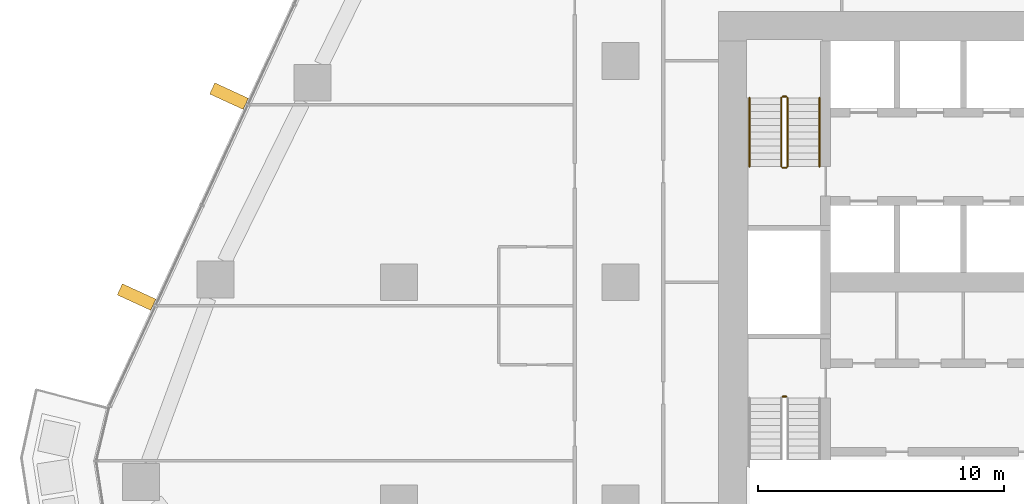
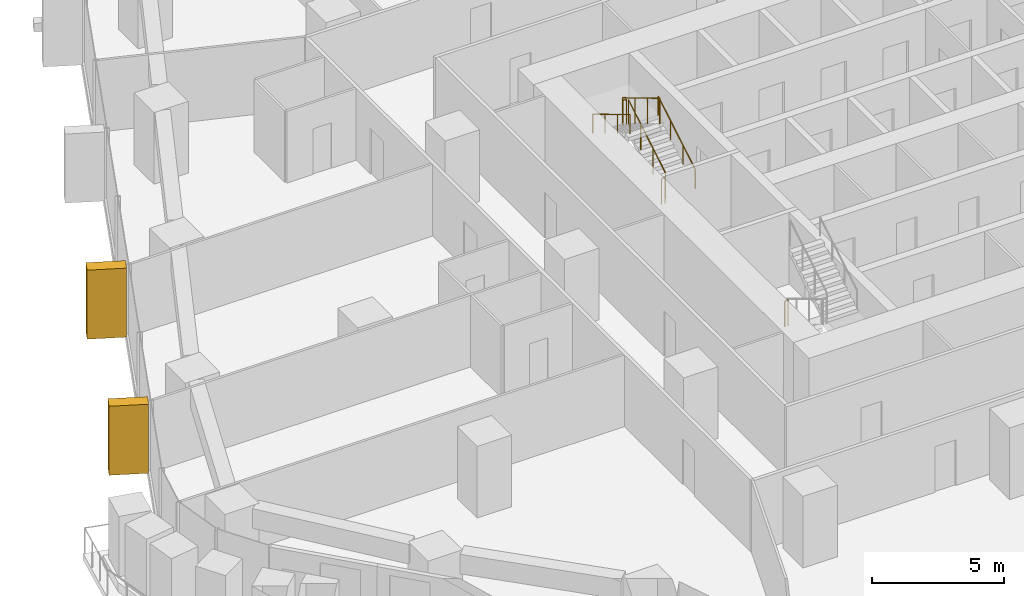
# One storey, part 23 of 26: 7 railings, 2 coverings, 1 element without a shape of its own.
"""IFC4 building model written with IfcOpenShell, lengths in metres."""

from ifc_helpers import new_model, si_unit, direction, frame, origin, origin_2d, place, context, subcontext, project, spatial, rectangle, circle, extrude, material, layer, layer_set, material_profile, profile_set, type_object, element, aggregate, save


model = new_model("IFC4")

# Units and contexts
model_context = context("Model", 3, precision=1e-05, world=origin(), true_north=direction((0.0, 1.0)))
body_context = subcontext(model_context, "Body", "Model", "MODEL_VIEW")
ifc_project = project(units=[si_unit("LENGTHUNIT", "METRE"), si_unit("AREAUNIT", "SQUARE_METRE"), si_unit("VOLUMEUNIT", "CUBIC_METRE"), si_unit("PLANEANGLEUNIT", "RADIAN"), si_unit("MASSUNIT", "GRAM", prefix="KILO")], contexts=[model_context])

# Site, building, storey
site_placement = place(None, origin())
site = spatial("IfcSite", under=ifc_project, at=site_placement, CompositionType="ELEMENT")
building_placement = place(site_placement, origin())
building = spatial("IfcBuilding", under=site, at=building_placement, Name="Dongbaek Canopy Tower", CompositionType="ELEMENT")
storey_placement = place(building_placement, frame((0.0, 0.0, 69.89990234375)))
storey = spatial("IfcBuildingStorey", under=building, at=storey_placement, Name="L13", CompositionType="ELEMENT", Elevation=69.89990234375)

# Curtain wall, coverings
ifc_material_1 = material(Name="Aluminium 6063-T6 pale anodised", Category="aluminium")
ifc_layer = layer(ifc_material_1, 0.199951171875)
ifc_layer_set = layer_set([ifc_layer], Name="CW-1 unitised tower curtain wall")
curtain_wall_type = type_object("IfcCurtainWallType", Name="CW-1 unitised tower curtain wall", PredefinedType="NOTDEFINED", material=ifc_layer_set)
curtain_wall_placement = place(storey_placement, origin())
curtain_wall = element("IfcCurtainWall", 1, at=curtain_wall_placement, inside=storey, type_object=curtain_wall_type, Name="CW-1 curtain wall F2.1", PredefinedType="NOTDEFINED")
ifc_material_2 = material(Name="Aluminium 6063-T6 pale metal fin", Category="aluminium")
ifc_material_profile = material_profile(ifc_material_2, rectangle(XDim=1.5, YDim=0.5, at=origin_2d()), Name="Fin FN1 500 x 1500 pale metal")
ifc_profile_set = profile_set([ifc_material_profile], Name="Aluminium 6063-T6 pale metal fin")
covering_type = type_object("IfcCoveringType", Name="Fin FN1 500 x 1500 pale metal", PredefinedType="CLADDING", material=ifc_profile_set)
covering_1_placement = place(storey_placement, frame((-33.913818359375, 7.56591796875, 0.1201171875), z_axis=(0.0, 0.0, 1.0), x_axis=(-0.908435687115, 0.418024643264, 0.0)))
covering_1 = element("IfcCovering", 2, at=covering_1_placement, type_object=covering_type, Name="Fin F2.1.7", PredefinedType="CLADDING", context=body_context, shape_type="SweptSolid", body=[
    extrude(rectangle(XDim=1.5, YDim=0.5, at=origin_2d()), origin(), (0.0, 0.0, 1.0), 3.179931640625),
])
covering_2_placement = place(storey_placement, frame((-37.67333984375, -0.603759765625, 0.1201171875), z_axis=(0.0, 0.0, 1.0), x_axis=(-0.908435687115, 0.418024643264, 0.0)))
covering_2 = element("IfcCovering", 3, at=covering_2_placement, type_object=covering_type, Name="Fin F2.1.9", PredefinedType="CLADDING", context=body_context, shape_type="SweptSolid", body=[
    extrude(rectangle(XDim=1.5, YDim=0.5, at=origin_2d()), origin(), (0.0, 0.0, 1.0), 3.179931640625),
])
aggregate(curtain_wall, [covering_1, covering_2])

# Railings
ifc_material_3 = material(Name="Stainless steel tube and balusters", Category="steel")
railing_type_1 = type_object("IfcRailingType", Name="Stair guard 1200", PredefinedType="GUARDRAIL", material=ifc_material_3)
railing_1_placement = place(storey_placement, frame((-11.199951171875, 4.699951171875, 0.168212890625)))
element("IfcRailing", 4, at=railing_1_placement, inside=storey, type_object=railing_type_1, Name="L13 ST-C stair guard 1", PredefinedType="GUARDRAIL", context=body_context, shape_type="SweptSolid", body=[
    extrude(circle(Radius=0.02392578125, at=origin_2d()), frame((0.0, 0.0, 1.17578125), z_axis=(0.0, 0.857242210791, 0.514913383045), x_axis=(-1.0, 0.0, 0.0)), (0.0, 0.0, 1.0), 3.266357421875),
    extrude(circle(Radius=0.02099609375, at=origin_2d()), origin(), (0.0, 0.0, 1.0), 1.15185546875),
    extrude(circle(Radius=0.02099609375, at=origin_2d()), frame((0.0, 0.933349609375, 0.560546875)), (0.0, 0.0, 1.0), 1.15185546875),
    extrude(circle(Radius=0.02099609375, at=origin_2d()), frame((0.0, 1.86669921875, 1.121337890625)), (0.0, 0.0, 1.0), 1.15185546875),
    extrude(circle(Radius=0.02099609375, at=origin_2d()), frame((0.0, 2.800048828125, 1.681884765625)), (0.0, 0.0, 1.0), 1.15185546875),
])
railing_2_placement = place(storey_placement, frame((-11.25, 7.550048828125, 1.85009765625)))
element("IfcRailing", 5, at=railing_2_placement, inside=storey, type_object=railing_type_1, Name="L13 ST-C stair guard 2", PredefinedType="GUARDRAIL", context=body_context, shape_type="SweptSolid", body=[
    extrude(circle(Radius=0.02392578125, at=origin_2d()), frame((0.0, 0.0, 1.17578125), z_axis=(-1.0, 0.0, 0.0), x_axis=(0.0, -1.0, 0.0)), (0.0, 0.0, 1.0), 0.14990234375),
    extrude(circle(Radius=0.02099609375, at=origin_2d()), origin(), (0.0, 0.0, 1.0), 1.15185546875),
    extrude(circle(Radius=0.02099609375, at=origin_2d()), frame((-0.14990234375, 0.0, 0.0)), (0.0, 0.0, 1.0), 1.15185546875),
])
railing_3_placement = place(storey_placement, frame((-11.449951171875, 7.5, 2.018310546875)))
element("IfcRailing", 6, at=railing_3_placement, inside=storey, type_object=railing_type_1, Name="L13 ST-C stair guard 3", PredefinedType="GUARDRAIL", context=body_context, shape_type="SweptSolid", body=[
    extrude(circle(Radius=0.02392578125, at=origin_2d()), frame((0.0, 0.0, 1.17578125), z_axis=(0.0, -0.857242210791, 0.514913383045), x_axis=(1.0, 0.0, 0.0)), (0.0, 0.0, 1.0), 3.266357421875),
    extrude(circle(Radius=0.02099609375, at=origin_2d()), origin(), (0.0, 0.0, 1.0), 1.15185546875),
    extrude(circle(Radius=0.02099609375, at=origin_2d()), frame((0.0, -0.933349609375, 0.560546875)), (0.0, 0.0, 1.0), 1.15185546875),
    extrude(circle(Radius=0.02099609375, at=origin_2d()), frame((0.0, -1.86669921875, 1.121337890625)), (0.0, 0.0, 1.0), 1.15185546875),
    extrude(circle(Radius=0.02099609375, at=origin_2d()), frame((0.0, -2.800048828125, 1.681884765625)), (0.0, 0.0, 1.0), 1.15185546875),
])
railing_4_placement = place(storey_placement, frame((-11.25, 4.64990234375, 0.0)))
element("IfcRailing", 7, at=railing_4_placement, inside=storey, type_object=railing_type_1, Name="L13 ST-C stair guard 4", PredefinedType="GUARDRAIL", context=body_context, shape_type="SweptSolid", body=[
    extrude(circle(Radius=0.02392578125, at=origin_2d()), frame((0.0, 0.0, 1.17578125), z_axis=(-1.0, 0.0, 0.0), x_axis=(0.0, -1.0, 0.0)), (0.0, 0.0, 1.0), 0.14990234375),
    extrude(circle(Radius=0.02099609375, at=origin_2d()), origin(), (0.0, 0.0, 1.0), 1.15185546875),
    extrude(circle(Radius=0.02099609375, at=origin_2d()), frame((-0.14990234375, 0.0, 0.0)), (0.0, 0.0, 1.0), 1.15185546875),
])
railing_5_placement = place(storey_placement, frame((-11.39990234375, -4.64990234375, 0.0)))
element("IfcRailing", 8, at=railing_5_placement, inside=storey, type_object=railing_type_1, Name="L13 ST-D stair guard 4", PredefinedType="GUARDRAIL", context=body_context, shape_type="SweptSolid", body=[
    extrude(circle(Radius=0.02392578125, at=origin_2d()), frame((0.0, 0.0, 1.17578125), z_axis=(1.0, 0.0, 0.0), x_axis=(0.0, 1.0, 0.0)), (0.0, 0.0, 1.0), 0.14990234375),
    extrude(circle(Radius=0.02099609375, at=origin_2d()), origin(), (0.0, 0.0, 1.0), 1.15185546875),
    extrude(circle(Radius=0.02099609375, at=origin_2d()), frame((0.14990234375, 0.0, 0.0)), (0.0, 0.0, 1.0), 1.15185546875),
])
ifc_material_4 = material(Name="Stainless steel tube", Category="steel")
railing_type_2 = type_object("IfcRailingType", Name="Stair handrail 900", PredefinedType="HANDRAIL", material=ifc_material_4)
railing_6_placement = place(storey_placement, frame((-9.89990234375, 4.699951171875, 0.168212890625)))
element("IfcRailing", 9, at=railing_6_placement, inside=storey, type_object=railing_type_2, Name="L13 ST-C stair handrail 1", PredefinedType="HANDRAIL", context=body_context, shape_type="SweptSolid", body=[
    extrude(circle(Radius=0.02392578125, at=origin_2d()), frame((0.0, 0.0, 0.8759765625), z_axis=(0.0, 0.857242210791, 0.514913383045), x_axis=(-1.0, 0.0, 0.0)), (0.0, 0.0, 1.0), 3.266357421875),
    extrude(circle(Radius=0.02099609375, at=origin_2d()), origin(), (0.0, 0.0, 1.0), 0.851806640625),
    extrude(circle(Radius=0.02099609375, at=origin_2d()), frame((0.0, 0.933349609375, 0.560546875)), (0.0, 0.0, 1.0), 0.851806640625),
    extrude(circle(Radius=0.02099609375, at=origin_2d()), frame((0.0, 1.86669921875, 1.121337890625)), (0.0, 0.0, 1.0), 0.851806640625),
    extrude(circle(Radius=0.02099609375, at=origin_2d()), frame((0.0, 2.800048828125, 1.681884765625)), (0.0, 0.0, 1.0), 0.851806640625),
])
railing_7_placement = place(storey_placement, frame((-12.75, 7.5, 2.018310546875)))
element("IfcRailing", 10, at=railing_7_placement, inside=storey, type_object=railing_type_2, Name="L13 ST-C stair handrail 2", PredefinedType="HANDRAIL", context=body_context, shape_type="SweptSolid", body=[
    extrude(circle(Radius=0.02392578125, at=origin_2d()), frame((0.0, 0.0, 0.8759765625), z_axis=(0.0, -0.857242210791, 0.514913383045), x_axis=(1.0, 0.0, 0.0)), (0.0, 0.0, 1.0), 3.266357421875),
    extrude(circle(Radius=0.02099609375, at=origin_2d()), origin(), (0.0, 0.0, 1.0), 0.851806640625),
    extrude(circle(Radius=0.02099609375, at=origin_2d()), frame((0.0, -0.933349609375, 0.560546875)), (0.0, 0.0, 1.0), 0.851806640625),
    extrude(circle(Radius=0.02099609375, at=origin_2d()), frame((0.0, -1.86669921875, 1.121337890625)), (0.0, 0.0, 1.0), 0.851806640625),
    extrude(circle(Radius=0.02099609375, at=origin_2d()), frame((0.0, -2.800048828125, 1.681884765625)), (0.0, 0.0, 1.0), 0.851806640625),
])

save(model, "model.ifc")
